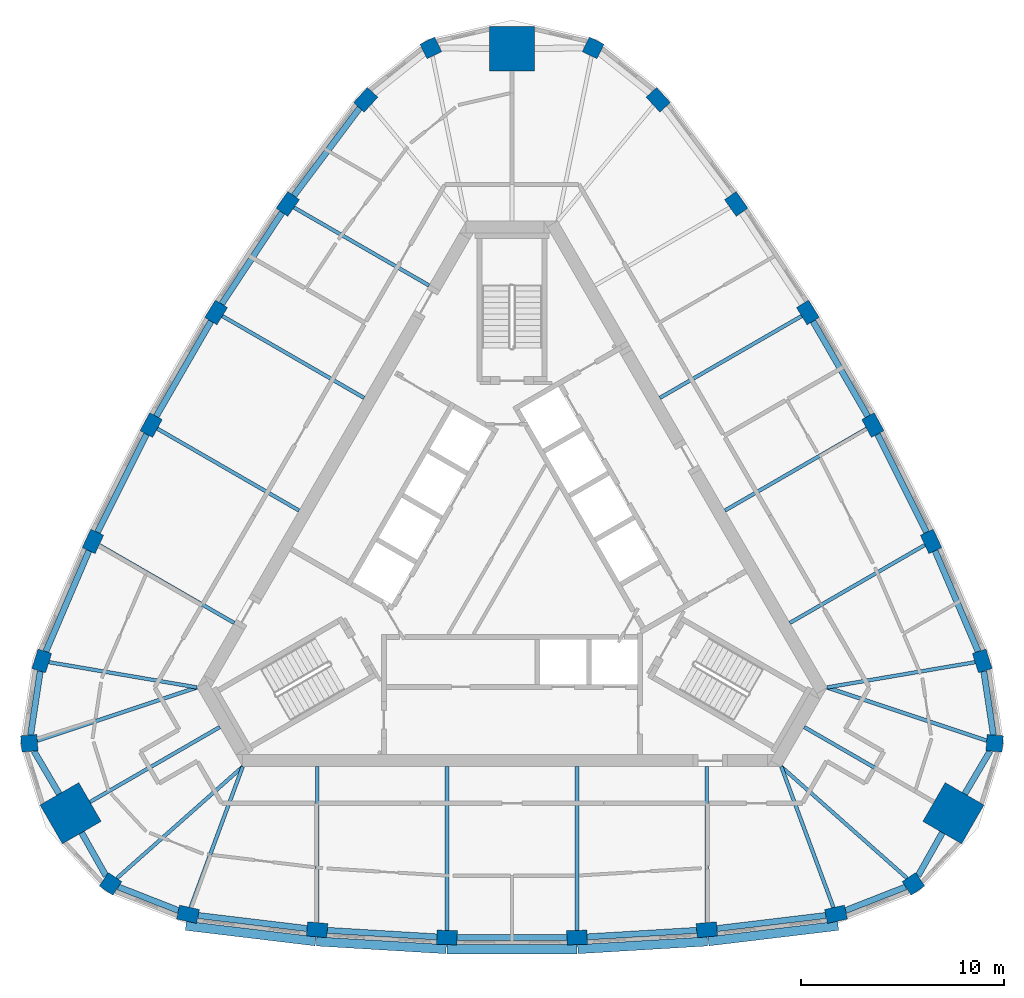
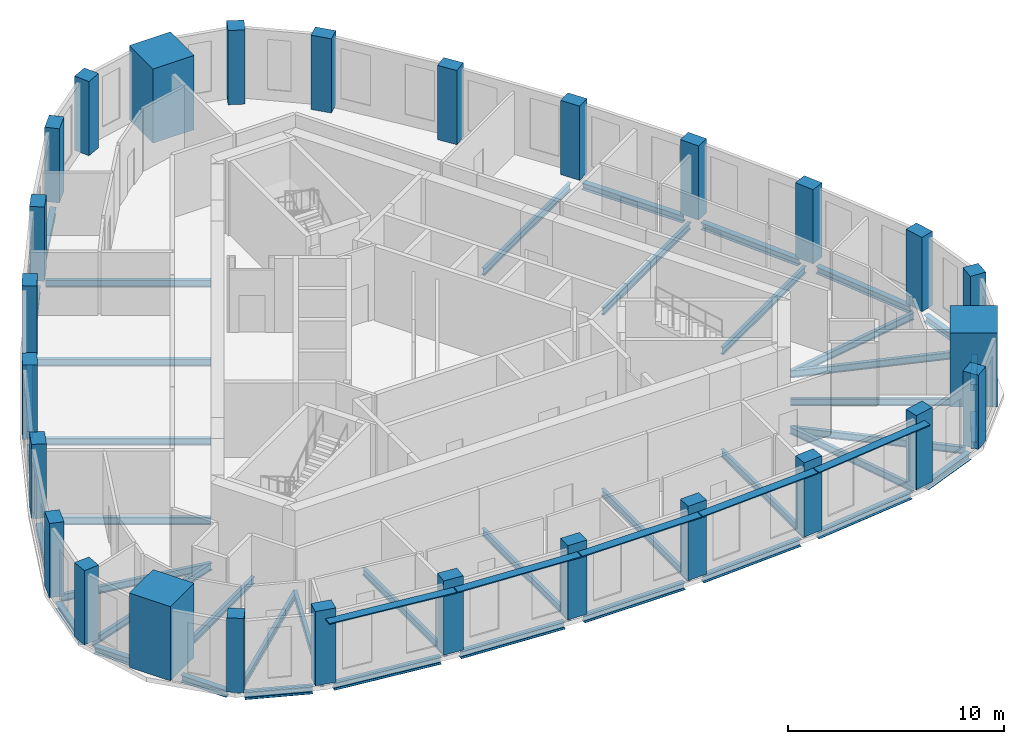
# One storey, part 1 of 10: 42 beams, 27 columns, 5 members.
"""IFC4 building model written with IfcOpenShell, lengths in metres."""

from ifc_helpers import new_model, si_unit, direction, frame, origin, origin_2d, place, context, subcontext, project, spatial, rectangle, i_section, extrude, material, material_profile, profile_set, type_object, element, save


model = new_model("IFC4")

# Units and contexts
model_context = context("Model", 3, precision=1e-05, world=origin(), true_north=direction((0.0, 1.0)))
body_context = subcontext(model_context, "Body", "Model", "MODEL_VIEW")
ifc_project = project(units=[si_unit("LENGTHUNIT", "METRE"), si_unit("AREAUNIT", "SQUARE_METRE"), si_unit("VOLUMEUNIT", "CUBIC_METRE"), si_unit("PLANEANGLEUNIT", "RADIAN"), si_unit("MASSUNIT", "GRAM", prefix="KILO")], contexts=[model_context])

# Site, building, storey
site_placement = place(None, origin())
site = spatial("IfcSite", under=ifc_project, at=site_placement, CompositionType="ELEMENT")
building_placement = place(site_placement, origin())
building = spatial("IfcBuilding", under=site, at=building_placement, Name="Mestral Congress Tower", CompositionType="ELEMENT")
storey_placement = place(building_placement, frame((0.0, 0.0, 304.800048828125)))
storey = spatial("IfcBuildingStorey", under=building, at=storey_placement, Name="L71", CompositionType="ELEMENT", Elevation=304.800048828125)

# Columns
ifc_material_1 = material(Name="Concrete C60/75", Category="concrete")
ifc_material_profile_1 = material_profile(ifc_material_1, rectangle(XDim=1.0, YDim=0.699951171875, at=origin_2d()), Name="RC 1000x700")
ifc_profile_set_1 = profile_set([ifc_material_profile_1], Name="Concrete C60/75")
column_type_1 = type_object("IfcColumnType", Name="Column RC 1000x700 C60/75", PredefinedType="COLUMN", material=ifc_profile_set_1)
for number, where, z_axis, x_axis, name in (
    (1, (-15.940673828125, -17.511962890625, 0.0), (0.0, 0.0, 1.0), (0.976233636503, -0.216720758026, 0.0), "COL-L71-C5-S00"),
    (2, (-9.587158203125, -18.273681640625, 0.0), (0.0, 0.0, 1.0), (0.995997816519, -0.089377567035, 0.0), "COL-L71-C5-S01"),
    (3, (-3.199462890625, -18.6552734375, 0.0), (0.0, 0.0, 1.0), (0.999555031657, -0.029828487872, 0.0), "COL-L71-C5-S02"),
    (4, (3.199462890625, -18.6552734375, 0.0), (0.0, 0.0, 1.0), (0.999555031657, 0.029828487872, 0.0), "COL-L71-C5-S03"),
    (5, (9.587158203125, -18.273681640625, 0.0), (0.0, 0.0, 1.0), (0.995997816519, 0.089377567035, 0.0), "COL-L71-C5-S04"),
    (6, (15.940673828125, -17.511962890625, 0.0), (0.0, 0.0, 1.0), (0.976233636503, 0.216720758026, 0.0), "COL-L71-C5-S05"),
    (7, (23.135986328125, -5.049072265625, 0.0), (0.0, 0.0, 1.0), (-0.300431136274, 0.953803508254, 0.0), "COL-L71-C5-E00"),
    (8, (20.618896484375, 0.833984375, 0.0), (0.0, 0.0, 1.0), (-0.420595664679, 0.907248194737, 0.0), "COL-L71-C5-E01"),
    (9, (17.755615234375, 6.556640625, 0.0), (0.0, 0.0, 1.0), (-0.473945287575, 0.880554293832, 0.0), "COL-L71-C5-E02"),
    (10, (14.55615234375, 12.098388671875, 0.0), (0.0, 0.0, 1.0), (-0.525609744083, 0.850725805959, 0.0), "COL-L71-C5-E03"),
    (11, (11.031982421875, 17.439697265625, 0.0), (0.0, 0.0, 1.0), (-0.57540215184, 0.817870627702, 0.0), "COL-L71-C5-E04"),
    (12, (7.1953125, 22.56103515625, 0.0), (0.0, 0.0, 1.0), (-0.67580250023, 0.737082750228, 0.0), "COL-L71-C5-E05"),
    (13, (-7.1953125, 22.56103515625, 0.0), (0.0, 0.0, 1.0), (-0.67580250023, -0.737082750228, 0.0), "COL-L71-C5-W00"),
    (14, (-11.031982421875, 17.439697265625, 0.0), (0.0, 0.0, 1.0), (-0.57540215184, -0.817870627702, 0.0), "COL-L71-C5-W01"),
    (15, (-14.55615234375, 12.098388671875, 0.0), (0.0, 0.0, 1.0), (-0.525609744083, -0.850725805959, 0.0), "COL-L71-C5-W02"),
    (16, (-17.755615234375, 6.556640625, 0.0), (0.0, 0.0, 1.0), (-0.473945287575, -0.880554293832, 0.0), "COL-L71-C5-W03"),
    (17, (-20.618896484375, 0.833984375, 0.0), (0.0, 0.0, 1.0), (-0.420595664679, -0.907248194737, 0.0), "COL-L71-C5-W04"),
    (18, (-23.135986328125, -5.049072265625, 0.0), (0.0, 0.0, 1.0), (-0.300431136274, -0.953803508254, 0.0), "COL-L71-C5-W05"),
):
    element("IfcColumn", number, at=place(storey_placement, frame(where, z_axis=z_axis, x_axis=x_axis)), inside=storey, type_object=column_type_1, Name=name, PredefinedType="COLUMN", context=body_context, shape_type="SweptSolid", body=[
        extrude(rectangle(XDim=1.0, YDim=0.699951171875, at=origin_2d()), origin(), (0.0, 0.0, 1.0), 4.199951171875),
    ])
ifc_material_profile_2 = material_profile(ifc_material_1, rectangle(XDim=0.800048828125, YDim=0.800048828125, at=origin_2d()), Name="RC 800x800")
ifc_profile_set_2 = profile_set([ifc_material_profile_2], Name="Concrete C60/75")
column_type_2 = type_object("IfcColumnType", Name="Column RC 800x800 C60/75", PredefinedType="COLUMN", material=ifc_profile_set_2)
for number, where, z_axis, x_axis, name in (
    (19, (19.75439453125, -16.0166015625, 0.0), (0.0, 0.0, 1.0), (0.826362775296, 0.563138139008, 0.0), "COL-L71-C5-SE1"),
    (20, (23.748046875, -9.099609375, 0.0), (0.0, 0.0, 1.0), (0.074510546573, 0.997220225652, 0.0), "COL-L71-C5-SE3"),
    (21, (3.993408203125, 25.1162109375, 0.0), (0.0, 0.0, 1.0), (-0.900873321869, 0.434082086644, 0.0), "COL-L71-C5-N1"),
    (22, (-3.993408203125, 25.1162109375, 0.0), (0.0, 0.0, 1.0), (-0.900873321869, -0.434082086644, 0.0), "COL-L71-C5-N3"),
    (23, (-23.748046875, -9.099609375, 0.0), (0.0, 0.0, 1.0), (0.074510546573, -0.997220225652, 0.0), "COL-L71-C5-SW1"),
    (24, (-19.75439453125, -16.0166015625, 0.0), (0.0, 0.0, 1.0), (0.826362775296, -0.563138139008, 0.0), "COL-L71-C5-SW3"),
):
    element("IfcColumn", number, at=place(storey_placement, frame(where, z_axis=z_axis, x_axis=x_axis)), inside=storey, type_object=column_type_2, Name=name, PredefinedType="COLUMN", context=body_context, shape_type="SweptSolid", body=[
        extrude(rectangle(XDim=0.800048828125, YDim=0.800048828125, at=origin_2d()), origin(), (0.0, 0.0, 1.0), 4.199951171875),
    ])
ifc_material_profile_3 = material_profile(ifc_material_1, rectangle(XDim=2.199951171875, YDim=2.199951171875, at=origin_2d()), Name="RC 2200x2200")
ifc_profile_set_3 = profile_set([ifc_material_profile_3], Name="Concrete C60/75")
column_type_3 = type_object("IfcColumnType", Name="Mega column RC 2200x2200 C60/75", PredefinedType="COLUMN", material=ifc_profile_set_3)
for number, where, z_axis, x_axis, name in (
    (25, (21.71826171875, -12.5390625, 0.0), (0.0, 0.0, 1.0), (0.866025403784, -0.5, 0.0), "COL-L71-PY5-SE"),
    (26, (0.0, 25.078125, 0.0), (0.0, 0.0, 1.0), (0.0, 1.0, 0.0), "COL-L71-PY5-N"),
    (27, (-21.71826171875, -12.5390625, 0.0), (0.0, 0.0, 1.0), (-0.866025403784, -0.5, 0.0), "COL-L71-PY5-SW"),
):
    element("IfcColumn", number, at=place(storey_placement, frame(where, z_axis=z_axis, x_axis=x_axis)), inside=storey, type_object=column_type_3, Name=name, PredefinedType="COLUMN", context=body_context, shape_type="SweptSolid", body=[
        extrude(rectangle(XDim=2.199951171875, YDim=2.199951171875, at=origin_2d()), origin(), (0.0, 0.0, 1.0), 4.199951171875),
    ])

# Members
ifc_material_2 = material(Name="Glazed ceramic", Category="masonry")
ifc_material_profile_4 = material_profile(ifc_material_2, rectangle(XDim=0.449951171875, YDim=0.06005859375, at=origin_2d()), Name="Ceramic blade 450 x 60")
ifc_profile_set_4 = profile_set([ifc_material_profile_4], Name="Glazed ceramic")
member_type = type_object("IfcMemberType", Name="Facade sunshade blade 450 x 60", PredefinedType="USERDEFINED", material=ifc_profile_set_4)
member_1_placement = place(storey_placement, frame((-16.04638671875, -18.078369140625, 3.679931640625), z_axis=(0.992890306953, -0.119032929725, 0.0), x_axis=(0.119032929725, 0.992890306953, 0.0)))
element("IfcMember", 28, at=member_1_placement, inside=storey, type_object=member_type, Name="Sunshade F0-00", ObjectType="SUNSHADE", PredefinedType="USERDEFINED", context=body_context, shape_type="SweptSolid", body=[
    extrude(rectangle(XDim=0.449951171875, YDim=0.06005859375, at=origin_2d()), origin(), (0.0, 0.0, 1.0), 6.429931640625),
])
member_2_placement = place(storey_placement, frame((-9.614990234375, -18.84814453125, 3.679931640625), z_axis=(0.998222174469, -0.059602771735, 0.0), x_axis=(0.059602771735, 0.998222174469, 0.0)))
element("IfcMember", 29, at=member_2_placement, inside=storey, type_object=member_type, Name="Sunshade F0-01", ObjectType="SUNSHADE", PredefinedType="USERDEFINED", context=body_context, shape_type="SweptSolid", body=[
    extrude(rectangle(XDim=0.449951171875, YDim=0.06005859375, at=origin_2d()), origin(), (0.0, 0.0, 1.0), 6.385986328125),
])
member_3_placement = place(storey_placement, frame((-3.193115234375, -19.230224609375, 3.679931640625), z_axis=(1.0, 0.0, 0.0), x_axis=(0.0, 1.0, 0.0)))
element("IfcMember", 30, at=member_3_placement, inside=storey, type_object=member_type, Name="Sunshade F0-02", ObjectType="SUNSHADE", PredefinedType="USERDEFINED", context=body_context, shape_type="SweptSolid", body=[
    extrude(rectangle(XDim=0.449951171875, YDim=0.06005859375, at=origin_2d()), origin(), (0.0, 0.0, 1.0), 6.38623046875),
])
member_4_placement = place(storey_placement, frame((3.240478515625, -19.228759765625, 3.679931640625), z_axis=(0.998222174469, 0.059602771735, 0.0), x_axis=(-0.059602771735, 0.998222174469, 0.0)))
element("IfcMember", 31, at=member_4_placement, inside=storey, type_object=member_type, Name="Sunshade F0-03", ObjectType="SUNSHADE", PredefinedType="USERDEFINED", context=body_context, shape_type="SweptSolid", body=[
    extrude(rectangle(XDim=0.449951171875, YDim=0.06005859375, at=origin_2d()), origin(), (0.0, 0.0, 1.0), 6.385986328125),
])
member_5_placement = place(storey_placement, frame((9.662109375, -18.84375, 3.679931640625), z_axis=(0.992890306953, 0.119032929725, 0.0), x_axis=(-0.119032929725, 0.992890306953, 0.0)))
element("IfcMember", 32, at=member_5_placement, inside=storey, type_object=member_type, Name="Sunshade F0-04", ObjectType="SUNSHADE", PredefinedType="USERDEFINED", context=body_context, shape_type="SweptSolid", body=[
    extrude(rectangle(XDim=0.449951171875, YDim=0.06005859375, at=origin_2d()), origin(), (0.0, 0.0, 1.0), 6.429931640625),
])

# Beams
ifc_material_3 = material(Name="Steel S355", Category="steel")
ifc_material_profile_5 = material_profile(ifc_material_3, i_section(OverallWidth=0.179931640625, OverallDepth=0.39990234375, WebThickness=0.008544921875, FlangeThickness=0.013427734375, FilletRadius=0.02099609375, at=origin_2d()), Name="IPE 400")
ifc_profile_set_5 = profile_set([ifc_material_profile_5], Name="Steel S355")
beam_type_1 = type_object("IfcBeamType", Name="Floor beam IPE 400 S355", PredefinedType="BEAM", material=ifc_profile_set_5)
beam_1_placement = place(storey_placement, frame((-15.81787109375, -17.1806640625, -0.449951171875), z_axis=(0.347399345496, 0.937717278687, 0.0), x_axis=(-0.937717278687, 0.347399345496, 0.0)))
element("IfcBeam", 33, at=beam_1_placement, inside=storey, type_object=beam_type_1, Name="BM-L71-RB5-S00", PredefinedType="BEAM", context=body_context, shape_type="SweptSolid", body=[
    extrude(i_section(OverallWidth=0.179931640625, OverallDepth=0.39990234375, WebThickness=0.008544921875, FlangeThickness=0.013427734375, FilletRadius=0.02099609375, at=origin_2d()), origin(), (0.0, 0.0, 1.0), 7.39111328125),
])
beam_2_placement = place(storey_placement, frame((-9.587158203125, -17.92236328125, -0.449951171875), z_axis=(0.0, 1.0, 0.0), x_axis=(-1.0, 0.0, 0.0)))
element("IfcBeam", 34, at=beam_2_placement, inside=storey, type_object=beam_type_1, Name="BM-L71-RB5-S01", PredefinedType="BEAM", context=body_context, shape_type="SweptSolid", body=[
    extrude(i_section(OverallWidth=0.179931640625, OverallDepth=0.39990234375, WebThickness=0.008544921875, FlangeThickness=0.013427734375, FilletRadius=0.02099609375, at=origin_2d()), origin(), (0.0, 0.0, 1.0), 7.67236328125),
])
for number, where, z_axis, x_axis, name in (
    (35, (-3.199462890625, -18.304931640625, -0.449951171875), (0.0, 1.0, 0.0), (-1.0, 0.0, 0.0), "BM-L71-RB5-S02"),
    (36, (3.199462890625, -18.304931640625, -0.449951171875), (0.0, 1.0, 0.0), (-1.0, 0.0, 0.0), "BM-L71-RB5-S03"),
):
    element("IfcBeam", number, at=place(storey_placement, frame(where, z_axis=z_axis, x_axis=x_axis)), inside=storey, type_object=beam_type_1, Name=name, PredefinedType="BEAM", context=body_context, shape_type="SweptSolid", body=[
        extrude(i_section(OverallWidth=0.179931640625, OverallDepth=0.39990234375, WebThickness=0.008544921875, FlangeThickness=0.013427734375, FilletRadius=0.02099609375, at=origin_2d()), origin(), (0.0, 0.0, 1.0), 8.054931640625),
    ])
beam_3_placement = place(storey_placement, frame((9.587158203125, -17.92236328125, -0.449951171875), z_axis=(0.0, 1.0, 0.0), x_axis=(-1.0, 0.0, 0.0)))
element("IfcBeam", 37, at=beam_3_placement, inside=storey, type_object=beam_type_1, Name="BM-L71-RB5-S04", PredefinedType="BEAM", context=body_context, shape_type="SweptSolid", body=[
    extrude(i_section(OverallWidth=0.179931640625, OverallDepth=0.39990234375, WebThickness=0.008544921875, FlangeThickness=0.013427734375, FilletRadius=0.02099609375, at=origin_2d()), origin(), (0.0, 0.0, 1.0), 7.67236328125),
])
beam_4_placement = place(storey_placement, frame((15.81787109375, -17.1806640625, -0.449951171875), z_axis=(-0.347399345496, 0.937717278687, 0.0), x_axis=(-0.937717278687, -0.347399345496, 0.0)))
element("IfcBeam", 38, at=beam_4_placement, inside=storey, type_object=beam_type_1, Name="BM-L71-RB5-S05", PredefinedType="BEAM", context=body_context, shape_type="SweptSolid", body=[
    extrude(i_section(OverallWidth=0.179931640625, OverallDepth=0.39990234375, WebThickness=0.008544921875, FlangeThickness=0.013427734375, FilletRadius=0.02099609375, at=origin_2d()), origin(), (0.0, 0.0, 1.0), 7.39111328125),
])
beam_5_placement = place(storey_placement, frame((19.44580078125, -15.742919921875, -0.449951171875), z_axis=(-0.74826277439, 0.663402457383, 0.0), x_axis=(-0.663402457383, -0.74826277439, 0.0)))
element("IfcBeam", 39, at=beam_5_placement, inside=storey, type_object=beam_type_1, Name="BM-L71-RB5-SE1", PredefinedType="BEAM", context=body_context, shape_type="SweptSolid", body=[
    extrude(i_section(OverallWidth=0.179931640625, OverallDepth=0.39990234375, WebThickness=0.008544921875, FlangeThickness=0.013427734375, FilletRadius=0.02099609375, at=origin_2d()), origin(), (0.0, 0.0, 1.0), 8.280029296875),
])
beam_6_placement = place(storey_placement, frame((20.765625, -11.989013671875, -0.449951171875), z_axis=(-0.866031296205, 0.499989793889, 0.0), x_axis=(-0.499989793889, -0.866031296205, 0.0)))
element("IfcBeam", 40, at=beam_6_placement, inside=storey, type_object=beam_type_1, Name="BM-L71-RB5-SE", PredefinedType="BEAM", context=body_context, shape_type="SweptSolid", body=[
    extrude(i_section(OverallWidth=0.179931640625, OverallDepth=0.39990234375, WebThickness=0.008544921875, FlangeThickness=0.013427734375, FilletRadius=0.02099609375, at=origin_2d()), origin(), (0.0, 0.0, 1.0), 7.378173828125),
])
beam_7_placement = place(storey_placement, frame((23.356689453125, -8.968994140625, -0.449951171875), z_axis=(-0.948659706446, 0.316298532031, 0.0), x_axis=(-0.316298532031, -0.948659706446, 0.0)))
element("IfcBeam", 41, at=beam_7_placement, inside=storey, type_object=beam_type_1, Name="BM-L71-RB5-SE3", PredefinedType="BEAM", context=body_context, shape_type="SweptSolid", body=[
    extrude(i_section(OverallWidth=0.179931640625, OverallDepth=0.39990234375, WebThickness=0.008544921875, FlangeThickness=0.013427734375, FilletRadius=0.02099609375, at=origin_2d()), origin(), (0.0, 0.0, 1.0), 8.27978515625),
])
beam_8_placement = place(storey_placement, frame((22.787841796875, -5.1083984375, -0.449951171875), z_axis=(-0.985786503242, -0.168002886958, 0.0), x_axis=(0.168002886958, -0.985786503242, 0.0)))
element("IfcBeam", 42, at=beam_8_placement, inside=storey, type_object=beam_type_1, Name="BM-L71-RB5-E00", PredefinedType="BEAM", context=body_context, shape_type="SweptSolid", body=[
    extrude(i_section(OverallWidth=0.179931640625, OverallDepth=0.39990234375, WebThickness=0.008544921875, FlangeThickness=0.013427734375, FilletRadius=0.02099609375, at=origin_2d()), origin(), (0.0, 0.0, 1.0), 7.390869140625),
])
beam_9_placement = place(storey_placement, frame((20.314697265625, 0.658447265625, -0.449951171875), z_axis=(-0.866019720907, -0.500009842903, 0.0), x_axis=(0.500009842903, -0.866019720907, 0.0)))
element("IfcBeam", 43, at=beam_9_placement, inside=storey, type_object=beam_type_1, Name="BM-L71-RB5-E01", PredefinedType="BEAM", context=body_context, shape_type="SweptSolid", body=[
    extrude(i_section(OverallWidth=0.179931640625, OverallDepth=0.39990234375, WebThickness=0.008544921875, FlangeThickness=0.013427734375, FilletRadius=0.02099609375, at=origin_2d()), origin(), (0.0, 0.0, 1.0), 7.672119140625),
])
for number, where, z_axis, x_axis, name in (
    (44, (17.452392578125, 6.381591796875, -0.449951171875), (-0.866020537834, -0.500008427979, 0.0), (0.500008427979, -0.866020537834, 0.0), "BM-L71-RB5-E02"),
    (45, (14.2529296875, 11.92333984375, -0.449951171875), (-0.866033662086, -0.499985695929, 0.0), (0.499985695929, -0.866033662086, 0.0), "BM-L71-RB5-E03"),
):
    element("IfcBeam", number, at=place(storey_placement, frame(where, z_axis=z_axis, x_axis=x_axis)), inside=storey, type_object=beam_type_1, Name=name, PredefinedType="BEAM", context=body_context, shape_type="SweptSolid", body=[
        extrude(i_section(OverallWidth=0.179931640625, OverallDepth=0.39990234375, WebThickness=0.008544921875, FlangeThickness=0.013427734375, FilletRadius=0.02099609375, at=origin_2d()), origin(), (0.0, 0.0, 1.0), 8.054931640625),
    ])
beam_10_placement = place(storey_placement, frame((-10.7275390625, 17.263916015625, -0.449951171875), z_axis=(0.866019720907, -0.500009842903, 0.0), x_axis=(0.500009842903, 0.866019720907, 0.0)))
element("IfcBeam", 46, at=beam_10_placement, inside=storey, type_object=beam_type_1, Name="BM-L71-RB5-W01", PredefinedType="BEAM", context=body_context, shape_type="SweptSolid", body=[
    extrude(i_section(OverallWidth=0.179931640625, OverallDepth=0.39990234375, WebThickness=0.008544921875, FlangeThickness=0.013427734375, FilletRadius=0.02099609375, at=origin_2d()), origin(), (0.0, 0.0, 1.0), 7.672119140625),
])
for number, where, z_axis, x_axis, name in (
    (47, (-14.2529296875, 11.92333984375, -0.449951171875), (0.866033662086, -0.499985695929, 0.0), (0.499985695929, 0.866033662086, 0.0), "BM-L71-RB5-W02"),
    (48, (-17.452392578125, 6.381591796875, -0.449951171875), (0.866020537834, -0.500008427979, 0.0), (0.500008427979, 0.866020537834, 0.0), "BM-L71-RB5-W03"),
):
    element("IfcBeam", number, at=place(storey_placement, frame(where, z_axis=z_axis, x_axis=x_axis)), inside=storey, type_object=beam_type_1, Name=name, PredefinedType="BEAM", context=body_context, shape_type="SweptSolid", body=[
        extrude(i_section(OverallWidth=0.179931640625, OverallDepth=0.39990234375, WebThickness=0.008544921875, FlangeThickness=0.013427734375, FilletRadius=0.02099609375, at=origin_2d()), origin(), (0.0, 0.0, 1.0), 8.054931640625),
    ])
beam_11_placement = place(storey_placement, frame((-20.314697265625, 0.658447265625, -0.449951171875), z_axis=(0.866019720907, -0.500009842903, 0.0), x_axis=(0.500009842903, 0.866019720907, 0.0)))
element("IfcBeam", 49, at=beam_11_placement, inside=storey, type_object=beam_type_1, Name="BM-L71-RB5-W04", PredefinedType="BEAM", context=body_context, shape_type="SweptSolid", body=[
    extrude(i_section(OverallWidth=0.179931640625, OverallDepth=0.39990234375, WebThickness=0.008544921875, FlangeThickness=0.013427734375, FilletRadius=0.02099609375, at=origin_2d()), origin(), (0.0, 0.0, 1.0), 7.672119140625),
])
beam_12_placement = place(storey_placement, frame((-22.787841796875, -5.1083984375, -0.449951171875), z_axis=(0.985786503242, -0.168002886958, 0.0), x_axis=(0.168002886958, 0.985786503242, 0.0)))
element("IfcBeam", 50, at=beam_12_placement, inside=storey, type_object=beam_type_1, Name="BM-L71-RB5-W05", PredefinedType="BEAM", context=body_context, shape_type="SweptSolid", body=[
    extrude(i_section(OverallWidth=0.179931640625, OverallDepth=0.39990234375, WebThickness=0.008544921875, FlangeThickness=0.013427734375, FilletRadius=0.02099609375, at=origin_2d()), origin(), (0.0, 0.0, 1.0), 7.390869140625),
])
beam_13_placement = place(storey_placement, frame((-23.356689453125, -8.968994140625, -0.449951171875), z_axis=(0.948659706446, 0.316298532031, 0.0), x_axis=(-0.316298532031, 0.948659706446, 0.0)))
element("IfcBeam", 51, at=beam_13_placement, inside=storey, type_object=beam_type_1, Name="BM-L71-RB5-SW1", PredefinedType="BEAM", context=body_context, shape_type="SweptSolid", body=[
    extrude(i_section(OverallWidth=0.179931640625, OverallDepth=0.39990234375, WebThickness=0.008544921875, FlangeThickness=0.013427734375, FilletRadius=0.02099609375, at=origin_2d()), origin(), (0.0, 0.0, 1.0), 8.27978515625),
])
beam_14_placement = place(storey_placement, frame((-20.765625, -11.989013671875, -0.449951171875), z_axis=(0.866031296205, 0.499989793889, 0.0), x_axis=(-0.499989793889, 0.866031296205, 0.0)))
element("IfcBeam", 52, at=beam_14_placement, inside=storey, type_object=beam_type_1, Name="BM-L71-RB5-SW", PredefinedType="BEAM", context=body_context, shape_type="SweptSolid", body=[
    extrude(i_section(OverallWidth=0.179931640625, OverallDepth=0.39990234375, WebThickness=0.008544921875, FlangeThickness=0.013427734375, FilletRadius=0.02099609375, at=origin_2d()), origin(), (0.0, 0.0, 1.0), 7.378173828125),
])
beam_15_placement = place(storey_placement, frame((-19.44580078125, -15.742919921875, -0.449951171875), z_axis=(0.74826277439, 0.663402457383, 0.0), x_axis=(-0.663402457383, 0.74826277439, 0.0)))
element("IfcBeam", 53, at=beam_15_placement, inside=storey, type_object=beam_type_1, Name="BM-L71-RB5-SW3", PredefinedType="BEAM", context=body_context, shape_type="SweptSolid", body=[
    extrude(i_section(OverallWidth=0.179931640625, OverallDepth=0.39990234375, WebThickness=0.008544921875, FlangeThickness=0.013427734375, FilletRadius=0.02099609375, at=origin_2d()), origin(), (0.0, 0.0, 1.0), 8.280029296875),
])
ifc_material_profile_6 = material_profile(ifc_material_3, i_section(OverallWidth=0.300048828125, OverallDepth=0.389892578125, WebThickness=0.010986328125, FlangeThickness=0.01904296875, FilletRadius=0.027099609375, at=origin_2d()), Name="HEA 400")
ifc_profile_set_6 = profile_set([ifc_material_profile_6], Name="Steel S355")
beam_type_2 = type_object("IfcBeamType", Name="Spandrel beam HEA 400 S355", PredefinedType="BEAM", material=ifc_profile_set_6)
beam_16_placement = place(storey_placement, frame((-15.44189453125, -17.57177734375, -0.445068359375), z_axis=(0.992890319222, -0.119032827389, 0.0), x_axis=(0.119032827389, 0.992890319222, 0.0)))
element("IfcBeam", 54, at=beam_16_placement, inside=storey, type_object=beam_type_2, Name="SP-L71-SB5-S00", PredefinedType="BEAM", context=body_context, shape_type="SweptSolid", body=[
    extrude(i_section(OverallWidth=0.300048828125, OverallDepth=0.389892578125, WebThickness=0.010986328125, FlangeThickness=0.01904296875, FilletRadius=0.027099609375, at=origin_2d()), origin(), (0.0, 0.0, 1.0), 5.396240234375),
])
beam_17_placement = place(storey_placement, frame((-9.087890625, -18.303466796875, -0.445068359375), z_axis=(0.998219522722, -0.059647166371, 0.0), x_axis=(0.059647166371, 0.998219522722, 0.0)))
element("IfcBeam", 55, at=beam_17_placement, inside=storey, type_object=beam_type_2, Name="SP-L71-SB5-S01", PredefinedType="BEAM", context=body_context, shape_type="SweptSolid", body=[
    extrude(i_section(OverallWidth=0.300048828125, OverallDepth=0.389892578125, WebThickness=0.010986328125, FlangeThickness=0.01904296875, FilletRadius=0.027099609375, at=origin_2d()), origin(), (0.0, 0.0, 1.0), 5.398681640625),
])
beam_18_placement = place(storey_placement, frame((-2.69921875, -18.6552734375, -0.445068359375), z_axis=(1.0, 0.0, 0.0), x_axis=(0.0, 1.0, 0.0)))
element("IfcBeam", 56, at=beam_18_placement, inside=storey, type_object=beam_type_2, Name="SP-L71-SB5-S02", PredefinedType="BEAM", context=body_context, shape_type="SweptSolid", body=[
    extrude(i_section(OverallWidth=0.300048828125, OverallDepth=0.389892578125, WebThickness=0.010986328125, FlangeThickness=0.01904296875, FilletRadius=0.027099609375, at=origin_2d()), origin(), (0.0, 0.0, 1.0), 5.3984375),
])
beam_19_placement = place(storey_placement, frame((3.69873046875, -18.62548828125, -0.445068359375), z_axis=(0.998219522722, 0.059647166371, 0.0), x_axis=(-0.059647166371, 0.998219522722, 0.0)))
element("IfcBeam", 57, at=beam_19_placement, inside=storey, type_object=beam_type_2, Name="SP-L71-SB5-S03", PredefinedType="BEAM", context=body_context, shape_type="SweptSolid", body=[
    extrude(i_section(OverallWidth=0.300048828125, OverallDepth=0.389892578125, WebThickness=0.010986328125, FlangeThickness=0.01904296875, FilletRadius=0.027099609375, at=origin_2d()), origin(), (0.0, 0.0, 1.0), 5.398681640625),
])
beam_20_placement = place(storey_placement, frame((10.083984375, -18.214111328125, -0.445068359375), z_axis=(0.992890319222, 0.119032827389, 0.0), x_axis=(-0.119032827389, 0.992890319222, 0.0)))
element("IfcBeam", 58, at=beam_20_placement, inside=storey, type_object=beam_type_2, Name="SP-L71-SB5-S04", PredefinedType="BEAM", context=body_context, shape_type="SweptSolid", body=[
    extrude(i_section(OverallWidth=0.300048828125, OverallDepth=0.389892578125, WebThickness=0.010986328125, FlangeThickness=0.01904296875, FilletRadius=0.027099609375, at=origin_2d()), origin(), (0.0, 0.0, 1.0), 5.396240234375),
])
beam_21_placement = place(storey_placement, frame((16.411865234375, -17.3271484375, -0.445068359375), z_axis=(0.930980873283, 0.365067957485, 0.0), x_axis=(-0.365067957485, 0.930980873283, 0.0)))
element("IfcBeam", 59, at=beam_21_placement, inside=storey, type_object=beam_type_2, Name="SP-L71-SB5-S05", PredefinedType="BEAM", context=body_context, shape_type="SweptSolid", body=[
    extrude(i_section(OverallWidth=0.300048828125, OverallDepth=0.389892578125, WebThickness=0.010986328125, FlangeThickness=0.01904296875, FilletRadius=0.027099609375, at=origin_2d()), origin(), (0.0, 0.0, 1.0), 3.179931640625),
])
beam_22_placement = place(storey_placement, frame((19.9736328125, -15.628173828125, -0.445068359375), z_axis=(0.491728558518, 0.870748542771, 0.0), x_axis=(-0.870748542771, 0.491728558518, 0.0)))
element("IfcBeam", 60, at=beam_22_placement, inside=storey, type_object=beam_type_2, Name="SP-L71-SB5-SE1", PredefinedType="BEAM", context=body_context, shape_type="SweptSolid", body=[
    extrude(i_section(OverallWidth=0.300048828125, OverallDepth=0.389892578125, WebThickness=0.010986328125, FlangeThickness=0.01904296875, FilletRadius=0.027099609375, at=origin_2d()), origin(), (0.0, 0.0, 1.0), 2.44775390625),
])
beam_23_placement = place(storey_placement, frame((22.27734375, -11.591552734375, -0.445068359375), z_axis=(0.508218412694, 0.861228218882, 0.0), x_axis=(-0.861228218882, 0.508218412694, 0.0)))
element("IfcBeam", 61, at=beam_23_placement, inside=storey, type_object=beam_type_2, Name="SP-L71-SB5-SE", PredefinedType="BEAM", context=body_context, shape_type="SweptSolid", body=[
    extrude(i_section(OverallWidth=0.300048828125, OverallDepth=0.389892578125, WebThickness=0.010986328125, FlangeThickness=0.01904296875, FilletRadius=0.027099609375, at=origin_2d()), origin(), (0.0, 0.0, 1.0), 2.447509765625),
])
beam_24_placement = place(storey_placement, frame((23.686767578125, -8.69384765625, -0.445068359375), z_axis=(-0.149402818736, 0.98877641444, 0.0), x_axis=(-0.98877641444, -0.149402818736, 0.0)))
element("IfcBeam", 62, at=beam_24_placement, inside=storey, type_object=beam_type_2, Name="SP-L71-SB5-SE3", PredefinedType="BEAM", context=body_context, shape_type="SweptSolid", body=[
    extrude(i_section(OverallWidth=0.300048828125, OverallDepth=0.389892578125, WebThickness=0.010986328125, FlangeThickness=0.01904296875, FilletRadius=0.027099609375, at=origin_2d()), origin(), (0.0, 0.0, 1.0), 3.179931640625),
])
beam_25_placement = place(storey_placement, frame((22.9384765625, -4.587158203125, -0.445068359375), z_axis=(-0.393367759324, 0.919381208164, 0.0), x_axis=(-0.919381208164, -0.393367759324, 0.0)))
element("IfcBeam", 63, at=beam_25_placement, inside=storey, type_object=beam_type_2, Name="SP-L71-SB5-E00", PredefinedType="BEAM", context=body_context, shape_type="SweptSolid", body=[
    extrude(i_section(OverallWidth=0.300048828125, OverallDepth=0.389892578125, WebThickness=0.010986328125, FlangeThickness=0.01904296875, FilletRadius=0.027099609375, at=origin_2d()), origin(), (0.0, 0.0, 1.0), 5.396484375),
])
beam_26_placement = place(storey_placement, frame((20.395263671875, 1.281494140625, -0.445068359375), z_axis=(-0.44748491494, 0.894291479832, 0.0), x_axis=(-0.894291479832, -0.44748491494, 0.0)))
element("IfcBeam", 64, at=beam_26_placement, inside=storey, type_object=beam_type_2, Name="SP-L71-SB5-E01", PredefinedType="BEAM", context=body_context, shape_type="SweptSolid", body=[
    extrude(i_section(OverallWidth=0.300048828125, OverallDepth=0.389892578125, WebThickness=0.010986328125, FlangeThickness=0.01904296875, FilletRadius=0.027099609375, at=origin_2d()), origin(), (0.0, 0.0, 1.0), 5.3984375),
])
beam_27_placement = place(storey_placement, frame((17.505615234375, 6.989990234375, -0.445068359375), z_axis=(-0.500025177812, 0.86601086688, 0.0), x_axis=(-0.86601086688, -0.500025177812, 0.0)))
element("IfcBeam", 65, at=beam_27_placement, inside=storey, type_object=beam_type_2, Name="SP-L71-SB5-E02", PredefinedType="BEAM", context=body_context, shape_type="SweptSolid", body=[
    extrude(i_section(OverallWidth=0.300048828125, OverallDepth=0.389892578125, WebThickness=0.010986328125, FlangeThickness=0.01904296875, FilletRadius=0.027099609375, at=origin_2d()), origin(), (0.0, 0.0, 1.0), 5.398681640625),
])
beam_28_placement = place(storey_placement, frame((-7.49658203125, 22.158935546875, -0.445068359375), z_axis=(-0.599529393236, -0.800352738888, 0.0), x_axis=(0.800352738888, -0.599529393236, 0.0)))
element("IfcBeam", 66, at=beam_28_placement, inside=storey, type_object=beam_type_2, Name="SP-L71-SB5-W00", PredefinedType="BEAM", context=body_context, shape_type="SweptSolid", body=[
    extrude(i_section(OverallWidth=0.300048828125, OverallDepth=0.389892578125, WebThickness=0.010986328125, FlangeThickness=0.01904296875, FilletRadius=0.027099609375, at=origin_2d()), origin(), (0.0, 0.0, 1.0), 5.396484375),
])
beam_29_placement = place(storey_placement, frame((-11.307373046875, 17.02197265625, -0.445068359375), z_axis=(-0.550748957655, -0.83467094453, 0.0), x_axis=(0.83467094453, -0.550748957655, 0.0)))
element("IfcBeam", 67, at=beam_29_placement, inside=storey, type_object=beam_type_2, Name="SP-L71-SB5-W01", PredefinedType="BEAM", context=body_context, shape_type="SweptSolid", body=[
    extrude(i_section(OverallWidth=0.300048828125, OverallDepth=0.389892578125, WebThickness=0.010986328125, FlangeThickness=0.01904296875, FilletRadius=0.027099609375, at=origin_2d()), origin(), (0.0, 0.0, 1.0), 5.3984375),
])
beam_30_placement = place(storey_placement, frame((-14.80615234375, 11.665283203125, -0.445068359375), z_axis=(-0.500025177812, -0.86601086688, 0.0), x_axis=(0.86601086688, -0.500025177812, 0.0)))
element("IfcBeam", 68, at=beam_30_placement, inside=storey, type_object=beam_type_2, Name="SP-L71-SB5-W02", PredefinedType="BEAM", context=body_context, shape_type="SweptSolid", body=[
    extrude(i_section(OverallWidth=0.300048828125, OverallDepth=0.389892578125, WebThickness=0.010986328125, FlangeThickness=0.01904296875, FilletRadius=0.027099609375, at=origin_2d()), origin(), (0.0, 0.0, 1.0), 5.398681640625),
])
beam_31_placement = place(storey_placement, frame((-17.9794921875, 6.109375, -0.445068359375), z_axis=(-0.44748491494, -0.894291479832, 0.0), x_axis=(0.894291479832, -0.44748491494, 0.0)))
element("IfcBeam", 69, at=beam_31_placement, inside=storey, type_object=beam_type_2, Name="SP-L71-SB5-W03", PredefinedType="BEAM", context=body_context, shape_type="SweptSolid", body=[
    extrude(i_section(OverallWidth=0.300048828125, OverallDepth=0.389892578125, WebThickness=0.010986328125, FlangeThickness=0.01904296875, FilletRadius=0.027099609375, at=origin_2d()), origin(), (0.0, 0.0, 1.0), 5.3984375),
])
beam_32_placement = place(storey_placement, frame((-20.815673828125, 0.374267578125, -0.445068359375), z_axis=(-0.393367759324, -0.919381208164, 0.0), x_axis=(0.919381208164, -0.393367759324, 0.0)))
element("IfcBeam", 70, at=beam_32_placement, inside=storey, type_object=beam_type_2, Name="SP-L71-SB5-W04", PredefinedType="BEAM", context=body_context, shape_type="SweptSolid", body=[
    extrude(i_section(OverallWidth=0.300048828125, OverallDepth=0.389892578125, WebThickness=0.010986328125, FlangeThickness=0.01904296875, FilletRadius=0.027099609375, at=origin_2d()), origin(), (0.0, 0.0, 1.0), 5.396484375),
])
beam_33_placement = place(storey_placement, frame((-23.211669921875, -5.549560546875, -0.445068359375), z_axis=(-0.149402818736, -0.98877641444, 0.0), x_axis=(0.98877641444, -0.149402818736, 0.0)))
element("IfcBeam", 71, at=beam_33_placement, inside=storey, type_object=beam_type_2, Name="SP-L71-SB5-W05", PredefinedType="BEAM", context=body_context, shape_type="SweptSolid", body=[
    extrude(i_section(OverallWidth=0.300048828125, OverallDepth=0.389892578125, WebThickness=0.010986328125, FlangeThickness=0.01904296875, FilletRadius=0.027099609375, at=origin_2d()), origin(), (0.0, 0.0, 1.0), 3.179931640625),
])
beam_34_placement = place(storey_placement, frame((-23.521240234375, -9.483642578125, -0.445068359375), z_axis=(0.508218412694, -0.861228218882, 0.0), x_axis=(0.861228218882, 0.508218412694, 0.0)))
element("IfcBeam", 72, at=beam_34_placement, inside=storey, type_object=beam_type_2, Name="SP-L71-SB5-SW1", PredefinedType="BEAM", context=body_context, shape_type="SweptSolid", body=[
    extrude(i_section(OverallWidth=0.300048828125, OverallDepth=0.389892578125, WebThickness=0.010986328125, FlangeThickness=0.01904296875, FilletRadius=0.027099609375, at=origin_2d()), origin(), (0.0, 0.0, 1.0), 2.447509765625),
])
beam_35_placement = place(storey_placement, frame((-21.17724609375, -13.496826171875, -0.445068359375), z_axis=(0.491728558518, -0.870748542771, 0.0), x_axis=(0.870748542771, 0.491728558518, 0.0)))
element("IfcBeam", 73, at=beam_35_placement, inside=storey, type_object=beam_type_2, Name="SP-L71-SB5-SW", PredefinedType="BEAM", context=body_context, shape_type="SweptSolid", body=[
    extrude(i_section(OverallWidth=0.300048828125, OverallDepth=0.389892578125, WebThickness=0.010986328125, FlangeThickness=0.01904296875, FilletRadius=0.027099609375, at=origin_2d()), origin(), (0.0, 0.0, 1.0), 2.44775390625),
])
beam_36_placement = place(storey_placement, frame((-19.372314453125, -16.166259765625, -0.445068359375), z_axis=(0.930980873283, -0.365067957485, 0.0), x_axis=(0.365067957485, 0.930980873283, 0.0)))
element("IfcBeam", 74, at=beam_36_placement, inside=storey, type_object=beam_type_2, Name="SP-L71-SB5-SW3", PredefinedType="BEAM", context=body_context, shape_type="SweptSolid", body=[
    extrude(i_section(OverallWidth=0.300048828125, OverallDepth=0.389892578125, WebThickness=0.010986328125, FlangeThickness=0.01904296875, FilletRadius=0.027099609375, at=origin_2d()), origin(), (0.0, 0.0, 1.0), 3.179931640625),
])

save(model, "model.ifc")
